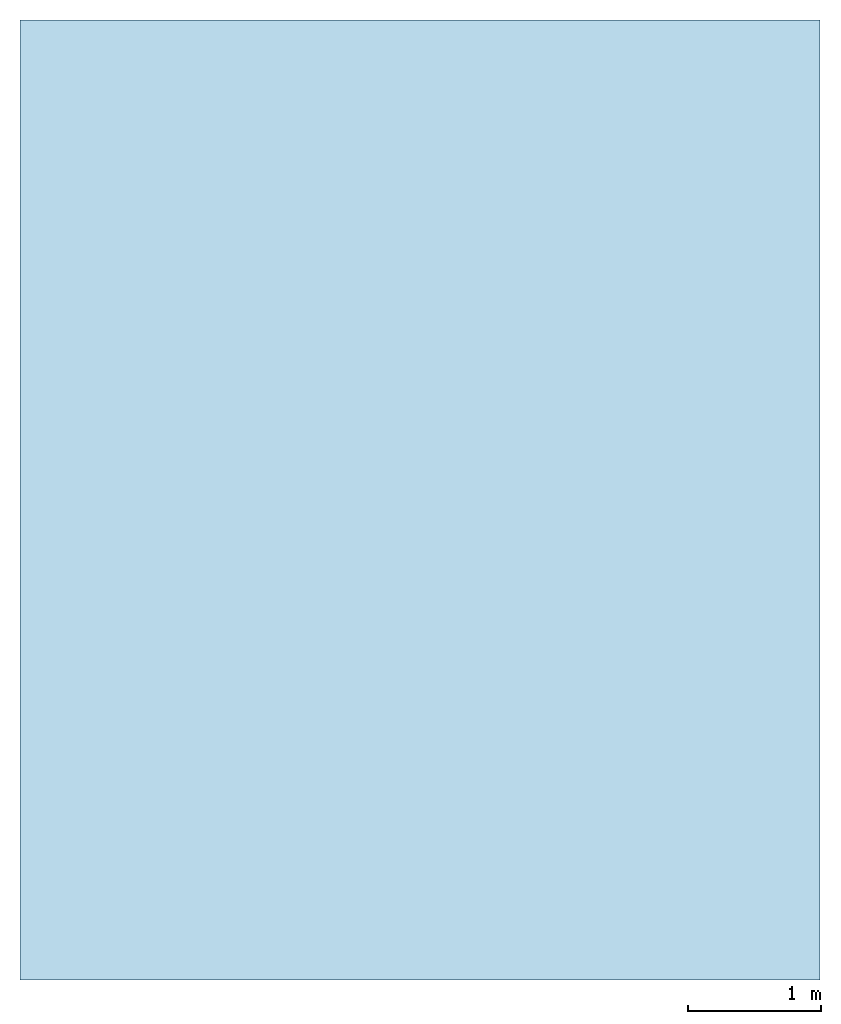
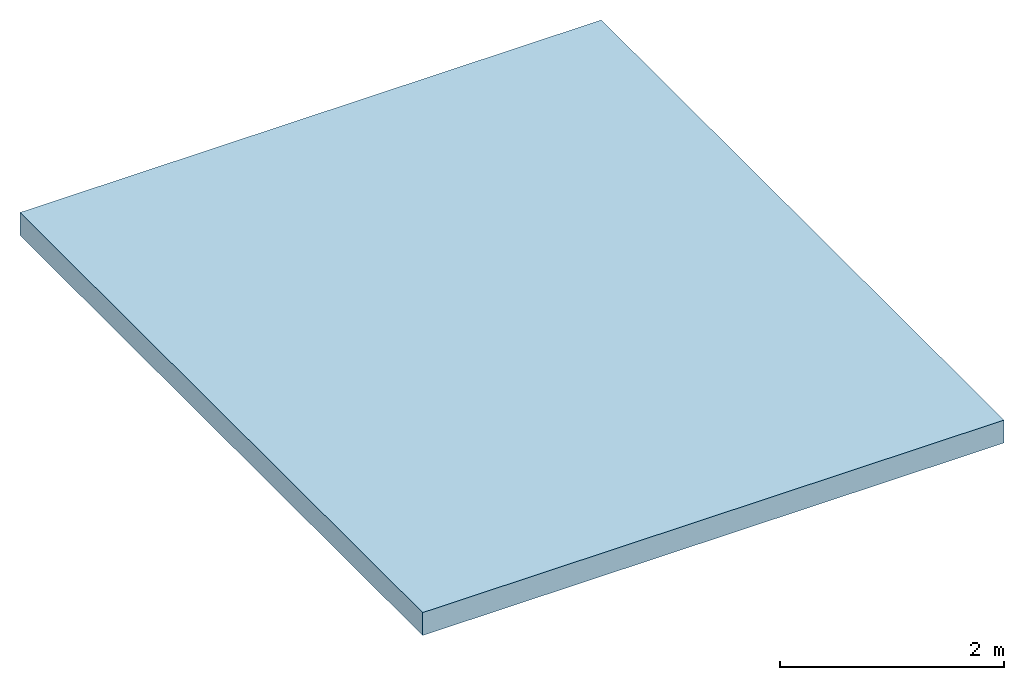
# One storey: 1 slab.
"""IFC4 building model written with IfcOpenShell, lengths in metres."""

from ifc_helpers import new_model, si_unit, direction, frame, origin, place, context, subcontext, project, spatial, polyline, outline, extrude, material, layer, layer_set, type_object, element, save


model = new_model("IFC4")

# Units and contexts
model_context = context("Model", 3, precision=1e-05, world=origin(), true_north=direction((0.0, 1.0)))
body_context = subcontext(model_context, "Body", "Model", "MODEL_VIEW")
ifc_project = project(units=[si_unit("LENGTHUNIT", "METRE"), si_unit("AREAUNIT", "SQUARE_METRE"), si_unit("VOLUMEUNIT", "CUBIC_METRE"), si_unit("PLANEANGLEUNIT", "RADIAN"), si_unit("MASSUNIT", "GRAM", prefix="KILO")], contexts=[model_context])

# Site, building, storey
site_placement = place(None, origin())
site = spatial("IfcSite", under=ifc_project, at=site_placement, CompositionType="ELEMENT")
building_placement = place(site_placement, origin())
building = spatial("IfcBuilding", under=site, at=building_placement, Name="Laocheng Heights Fire and Rescue Headquarters", CompositionType="ELEMENT")
storey_placement = place(building_placement, frame((0.0, 0.0, 27.85009765625)))
storey = spatial("IfcBuildingStorey", under=building, at=storey_placement, Name="UPPER ROOF", CompositionType="ELEMENT", Elevation=27.85009765625)

# Slab
ifc_material = material(Name="Concrete C40", Category="concrete")
ifc_layer = layer(ifc_material, 0.25)
ifc_layer_set = layer_set([ifc_layer], Name="Concrete C40")
slab_type = type_object("IfcSlabType", Name="RC HEAD-HOUSE ROOF SLAB 250", PredefinedType="ROOF", material=ifc_layer_set)
slab_placement = place(storey_placement, frame((0.0, 0.0, -0.25)))
element("IfcSlab", 1, at=slab_placement, inside=storey, type_object=slab_type, Name="Head-house roof slab H2", PredefinedType="ROOF", context=body_context, shape_type="SweptSolid", body=[
    extrude(outline(polyline([(78.0, 64.800048828125), (84.0, 64.800048828125), (84.0, 72.0), (78.0, 72.0), (78.0, 64.800048828125)])), origin(), (0.0, 0.0, 1.0), 0.25),
])

save(model, "model.ifc")
